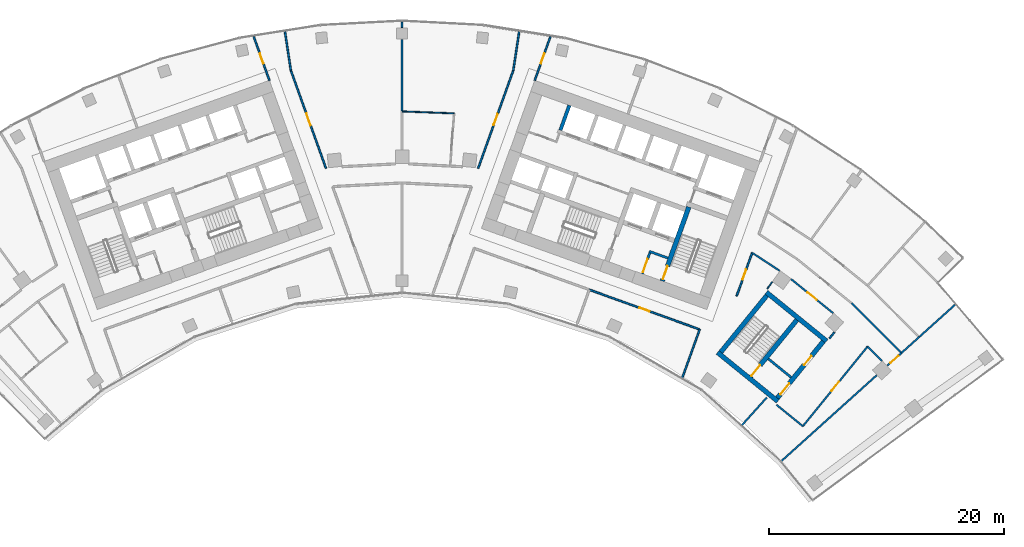
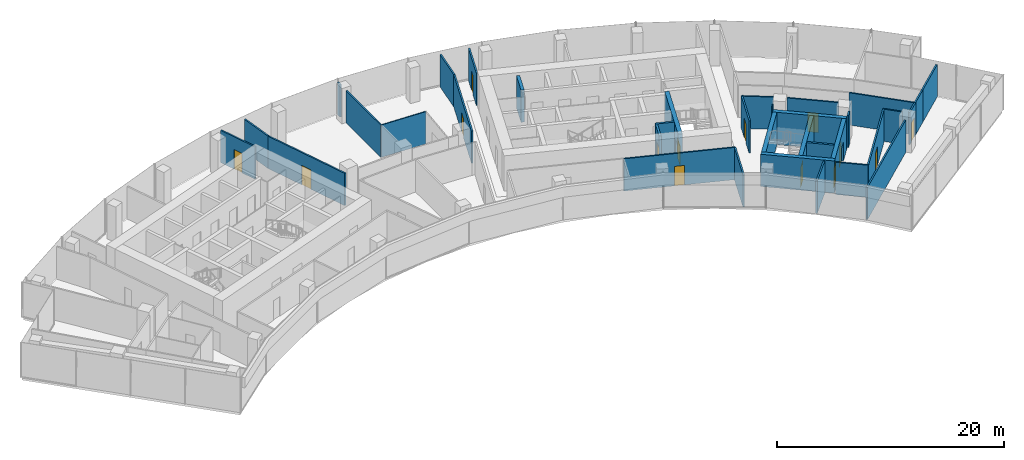
# One storey, part 15 of 18: 35 walls, 14 doors, 14 openings.
"""IFC4 building model written with IfcOpenShell, lengths in metres."""

from ifc_helpers import new_model, si_unit, direction, frame, frame_2d, origin, place, context, subcontext, project, spatial, rectangle, extrude, material, layer, layer_set, type_object, element, fill, save


model = new_model("IFC4")

# Units and contexts
model_context = context("Model", 3, precision=1e-05, world=origin(), true_north=direction((0.0, 1.0)))
body_context = subcontext(model_context, "Body", "Model", "MODEL_VIEW")
ifc_project = project(units=[si_unit("LENGTHUNIT", "METRE"), si_unit("AREAUNIT", "SQUARE_METRE"), si_unit("VOLUMEUNIT", "CUBIC_METRE"), si_unit("PLANEANGLEUNIT", "RADIAN"), si_unit("MASSUNIT", "GRAM", prefix="KILO")], contexts=[model_context])

# Site, building, storey
site_placement = place(None, origin())
site = spatial("IfcSite", under=ifc_project, at=site_placement, CompositionType="ELEMENT")
building_placement = place(site_placement, origin())
building = spatial("IfcBuilding", under=site, at=building_placement, Name="Stone Belt Terrace Tower", CompositionType="ELEMENT")
storey_placement = place(building_placement, frame((0.0, 0.0, 220.0)))
storey = spatial("IfcBuildingStorey", under=building, at=storey_placement, Name="L53", CompositionType="ELEMENT", Elevation=220.0)

# Walls
ifc_material_1 = material(Name="Concrete B80", Category="concrete")
ifc_layer_1 = layer(ifc_material_1, 0.300048828125)
ifc_layer_set_1 = layer_set([ifc_layer_1], Name="Lift shaft wall 300")
wall_type_1 = type_object("IfcWallType", Name="Lift shaft wall 300", PredefinedType="SHEAR", material=ifc_layer_set_1)
wall_1_placement = place(storey_placement, frame((13.48828125, 57.265625, 0.0), z_axis=(0.0, 0.0, 1.0), x_axis=(0.338631098537, 0.940919220286, 0.0)))
element("IfcWall", 1, at=wall_1_placement, inside=storey, type_object=wall_type_1, Name="Core B wall", PredefinedType="SHEAR", context=body_context, shape_type="SweptSolid", body=[
    extrude(rectangle(XDim=2.250244140625, YDim=0.300048828125, at=frame_2d((1.125, 0.0))), origin(), (0.0, 0.0, 1.0), 3.47998046875),
])
ifc_material_2 = material(Name="Gypsum board partition")
ifc_layer_2 = layer(ifc_material_2, 0.10009765625)
ifc_layer_set_2 = layer_set([ifc_layer_2], Name="PARTITION 100")
wall_type_2 = type_object("IfcWallType", Name="PARTITION 100", PredefinedType="PARTITIONING", material=ifc_layer_set_2)
wall_2_placement = place(storey_placement, frame((31.10302734375, 43.760009765625, 0.0), z_axis=(0.0, 0.0, 1.0), x_axis=(0.578960753256, 0.815355410965, 0.0)))
element("IfcWall", 2, at=wall_2_placement, inside=storey, type_object=wall_type_2, Name="L53/wall/i060", PredefinedType="PARTITIONING", context=body_context, shape_type="SweptSolid", body=[
    extrude(rectangle(XDim=0.71044921875, YDim=0.10009765625, at=frame_2d((0.355224609375, 0.0))), origin(), (0.0, 0.0, 1.0), 3.47998046875),
])
wall_3_placement = place(storey_placement, frame((4.431884765625, 58.697998046875, 0.0), z_axis=(0.0, 0.0, 1.0), x_axis=(-0.999290874264, 0.037653002699, 0.0)))
element("IfcWall", 3, at=wall_3_placement, inside=storey, type_object=wall_type_2, Name="L53/wall/i082", PredefinedType="PARTITIONING", context=body_context, shape_type="SweptSolid", body=[
    extrude(rectangle(XDim=4.43505859375, YDim=0.10009765625, at=frame_2d((2.217529296875, 0.0))), origin(), (0.0, 0.0, 1.0), 3.47998046875),
])

# Wall, opening, door
ifc_layer_3 = layer(ifc_material_2, 0.14990234375)
ifc_layer_set_3 = layer_set([ifc_layer_3], Name="PARTITION 150 EI 60")
wall_type_3 = type_object("IfcWallType", Name="PARTITION 150 EI 60", PredefinedType="PARTITIONING", material=ifc_layer_set_3)
wall_4_placement = place(storey_placement, frame((-11.2958984375, 61.509033203125, 0.0), z_axis=(0.0, 0.0, 1.0), x_axis=(-0.338610223579, 0.940926732795, 0.0)))
wall_4 = element("IfcWall", 4, at=wall_4_placement, inside=storey, type_object=wall_type_3, Name="L53/wall/i008", PredefinedType="PARTITIONING", context=body_context, shape_type="SweptSolid", body=[
    extrude(rectangle(XDim=3.956787109375, YDim=0.14990234375, at=frame_2d((1.978515625, 0.0))), origin(), (0.0, 0.0, 1.0), 3.47998046875),
])
opening_1_placement = place(wall_4_placement, frame((1.5283203125, 0.0, 0.0)))
opening_1 = element("IfcOpeningElement", 5, at=opening_1_placement, cuts=wall_4, Name="Opening D-D3-04", PredefinedType="OPENING", context=body_context, shape_type="SweptSolid", body=[
    extrude(rectangle(XDim=0.89990234375, YDim=2.10009765625, at=frame_2d((0.449951171875, 1.050048828125))), frame((0.0, 0.0849609375, 0.0), z_axis=(0.0, -1.0, 0.0), x_axis=(1.0, 0.0, 0.0)), (0.0, 0.0, 1.0), 0.169921875),
])
ifc_material_3 = material(Name="Timber door leaf", Category="wood")
door_type_1 = type_object("IfcDoorType", Name="OFFICE DOOR 900 X 2100", OperationType="NOTDEFINED", PredefinedType="DOOR", material=ifc_material_3)
door_1_placement = place(opening_1_placement, origin())
door_1 = element("IfcDoor", 6, at=door_1_placement, inside=storey, type_object=door_type_1, Name="L53/door/i04", OperationType="SINGLE_SWING_RIGHT", OverallHeight=2.10009765625, OverallWidth=0.89990234375, PredefinedType="DOOR", context=body_context, shape_type="SweptSolid", body=[
    extrude(rectangle(XDim=0.89990234375, YDim=2.10009765625, at=frame_2d((0.449951171875, 1.050048828125))), frame((0.0, 0.02490234375, 0.0), z_axis=(0.0, -1.0, 0.0), x_axis=(1.0, 0.0, 0.0)), (0.0, 0.0, 1.0), 0.050048828125),
])
fill(opening_1, door_1)

# Wall
wall_5_placement = place(storey_placement, frame((-9.971923828125, 65.65576171875, 0.0), z_axis=(0.0, 0.0, 1.0), x_axis=(0.150154488208, -0.988662545903, 0.0)))
element("IfcWall", 7, at=wall_5_placement, inside=storey, type_object=wall_type_3, Name="L53/wall/i010", PredefinedType="PARTITIONING", context=body_context, shape_type="SweptSolid", body=[
    extrude(rectangle(XDim=3.35595703125, YDim=0.14990234375, at=frame_2d((1.677978515625, 0.0))), origin(), (0.0, 0.0, 1.0), 3.47998046875),
])

# Wall, opening, door
wall_6_placement = place(storey_placement, frame((-9.468017578125, 62.3369140625, 0.0), z_axis=(0.0, 0.0, 1.0), x_axis=(0.338603075024, -0.940929305307, 0.0)))
wall_6 = element("IfcWall", 8, at=wall_6_placement, inside=storey, type_object=wall_type_3, Name="L53/wall/i011", PredefinedType="PARTITIONING", context=body_context, shape_type="SweptSolid", body=[
    extrude(rectangle(XDim=8.839111328125, YDim=0.14990234375, at=frame_2d((4.41943359375, 0.0))), origin(), (0.0, 0.0, 1.0), 3.47998046875),
])
opening_2_placement = place(wall_6_placement, frame((3.86962890625, 0.0, 0.0)))
opening_2 = element("IfcOpeningElement", 9, at=opening_2_placement, cuts=wall_6, Name="Opening D-D3-25", PredefinedType="OPENING", context=body_context, shape_type="SweptSolid", body=[
    extrude(rectangle(XDim=1.10009765625, YDim=2.10009765625, at=frame_2d((0.550048828125, 1.050048828125))), frame((0.0, 0.0849609375, 0.0), z_axis=(0.0, -1.0, 0.0), x_axis=(1.0, 0.0, 0.0)), (0.0, 0.0, 1.0), 0.169921875),
])
ifc_material_4 = material(Name="Steel fire door set", Category="steel")
door_type_2 = type_object("IfcDoorType", Name="SERVICE ROOM DOOR 1100 X 2100", OperationType="NOTDEFINED", PredefinedType="DOOR", material=ifc_material_4)
door_2_placement = place(opening_2_placement, origin())
door_2 = element("IfcDoor", 10, at=door_2_placement, inside=storey, type_object=door_type_2, Name="L53/door/i25", OperationType="SINGLE_SWING_LEFT", OverallHeight=2.10009765625, OverallWidth=1.10009765625, PredefinedType="DOOR", context=body_context, shape_type="SweptSolid", body=[
    extrude(rectangle(XDim=1.10009765625, YDim=2.10009765625, at=frame_2d((0.550048828125, 1.050048828125))), frame((0.0, 0.02490234375, 0.0), z_axis=(0.0, -1.0, 0.0), x_axis=(1.0, 0.0, 0.0)), (0.0, 0.0, 1.0), 0.050048828125),
])
fill(opening_2, door_2)

wall_7_placement = place(storey_placement, frame((12.6357421875, 65.232177734375, 0.0), z_axis=(0.0, 0.0, 1.0), x_axis=(-0.338610223579, -0.940926732795, 0.0)))
wall_7 = element("IfcWall", 11, at=wall_7_placement, inside=storey, type_object=wall_type_3, Name="L53/wall/i017", PredefinedType="PARTITIONING", context=body_context, shape_type="SweptSolid", body=[
    extrude(rectangle(XDim=3.956787109375, YDim=0.14990234375, at=frame_2d((1.978515625, 0.0))), origin(), (0.0, 0.0, 1.0), 3.47998046875),
])
opening_3_placement = place(wall_7_placement, frame((1.5283203125, 0.0, 0.0)))
opening_3 = element("IfcOpeningElement", 12, at=opening_3_placement, cuts=wall_7, Name="Opening D-D3-07", PredefinedType="OPENING", context=body_context, shape_type="SweptSolid", body=[
    extrude(rectangle(XDim=0.89990234375, YDim=2.10009765625, at=frame_2d((0.449951171875, 1.050048828125))), frame((0.0, 0.0849609375, 0.0), z_axis=(0.0, -1.0, 0.0), x_axis=(1.0, 0.0, 0.0)), (0.0, 0.0, 1.0), 0.169921875),
])
door_3_placement = place(opening_3_placement, origin())
door_3 = element("IfcDoor", 13, at=door_3_placement, inside=storey, type_object=door_type_1, Name="L53/door/i07", OperationType="SINGLE_SWING_RIGHT", OverallHeight=2.10009765625, OverallWidth=0.89990234375, PredefinedType="DOOR", context=body_context, shape_type="SweptSolid", body=[
    extrude(rectangle(XDim=0.89990234375, YDim=2.10009765625, at=frame_2d((0.449951171875, 1.050048828125))), frame((0.0, 0.02490234375, 0.0), z_axis=(0.0, -1.0, 0.0), x_axis=(1.0, 0.0, 0.0)), (0.0, 0.0, 1.0), 0.050048828125),
])
fill(opening_3, door_3)

wall_8_placement = place(storey_placement, frame((6.47509765625, 54.02001953125, 0.0), z_axis=(0.0, 0.0, 1.0), x_axis=(0.338603075024, 0.940929305307, 0.0)))
wall_8 = element("IfcWall", 14, at=wall_8_placement, inside=storey, type_object=wall_type_3, Name="L53/wall/i019", PredefinedType="PARTITIONING", context=body_context, shape_type="SweptSolid", body=[
    extrude(rectangle(XDim=8.839111328125, YDim=0.14990234375, at=frame_2d((4.41943359375, 0.0))), origin(), (0.0, 0.0, 1.0), 3.47998046875),
])
opening_4_placement = place(wall_8_placement, frame((3.919677734375, 0.0, 0.0)))
opening_4 = element("IfcOpeningElement", 15, at=opening_4_placement, cuts=wall_8, Name="Opening D-D3-26", PredefinedType="OPENING", context=body_context, shape_type="SweptSolid", body=[
    extrude(rectangle(XDim=1.0, YDim=2.10009765625, at=frame_2d((0.5, 1.050048828125))), frame((0.0, 0.0849609375, 0.0), z_axis=(0.0, -1.0, 0.0), x_axis=(1.0, 0.0, 0.0)), (0.0, 0.0, 1.0), 0.169921875),
])
ifc_material_5 = material(Name="Timber fire door leaf", Category="wood")
door_type_3 = type_object("IfcDoorType", Name="TENANCY ENTRANCE DOOR 1000 X 2100", OperationType="NOTDEFINED", PredefinedType="DOOR", material=ifc_material_5)
door_4_placement = place(opening_4_placement, origin())
door_4 = element("IfcDoor", 16, at=door_4_placement, inside=storey, type_object=door_type_3, Name="L53/door/i26", OperationType="SINGLE_SWING_RIGHT", OverallHeight=2.10009765625, OverallWidth=1.0, PredefinedType="DOOR", context=body_context, shape_type="SweptSolid", body=[
    extrude(rectangle(XDim=1.0, YDim=2.10009765625, at=frame_2d((0.5, 1.050048828125))), frame((0.0, 0.02490234375, 0.0), z_axis=(0.0, -1.0, 0.0), x_axis=(1.0, 0.0, 0.0)), (0.0, 0.0, 1.0), 0.050048828125),
])
fill(opening_4, door_4)

# Walls
wall_9_placement = place(storey_placement, frame((9.468017578125, 62.337890625, 0.0), z_axis=(0.0, 0.0, 1.0), x_axis=(0.150154488208, 0.988662545903, 0.0)))
element("IfcWall", 17, at=wall_9_placement, inside=storey, type_object=wall_type_3, Name="L53/wall/i020", PredefinedType="PARTITIONING", context=body_context, shape_type="SweptSolid", body=[
    extrude(rectangle(XDim=3.35595703125, YDim=0.14990234375, at=frame_2d((1.677978515625, 0.0))), origin(), (0.0, 0.0, 1.0), 3.47998046875),
])
wall_10_placement = place(storey_placement, frame((23.860107421875, 36.1787109375, 0.0), z_axis=(0.0, 0.0, 1.0), x_axis=(0.338603151709, 0.94092927771, 0.0)))
element("IfcWall", 18, at=wall_10_placement, inside=storey, type_object=wall_type_3, Name="L53/wall/i021", PredefinedType="PARTITIONING", context=body_context, shape_type="SweptSolid", body=[
    extrude(rectangle(XDim=4.38525390625, YDim=0.14990234375, at=frame_2d((2.192626953125, 0.0))), origin(), (0.0, 0.0, 1.0), 3.47998046875),
])

# Wall, opening, door
wall_11_placement = place(storey_placement, frame((29.819091796875, 46.826904296875, 0.0), z_axis=(0.0, 0.0, 1.0), x_axis=(-0.338668875698, -0.940905623659, 0.0)))
wall_11 = element("IfcWall", 19, at=wall_11_placement, inside=storey, type_object=wall_type_3, Name="L53/wall/i023", PredefinedType="PARTITIONING", context=body_context, shape_type="SweptSolid", body=[
    extrude(rectangle(XDim=3.93017578125, YDim=0.14990234375, at=frame_2d((1.965087890625, 0.0))), origin(), (0.0, 0.0, 1.0), 3.47998046875),
])
opening_5_placement = place(wall_11_placement, frame((1.51513671875, 0.0, 0.0)))
opening_5 = element("IfcOpeningElement", 20, at=opening_5_placement, cuts=wall_11, Name="Opening D-D3-17", PredefinedType="OPENING", context=body_context, shape_type="SweptSolid", body=[
    extrude(rectangle(XDim=0.89990234375, YDim=2.10009765625, at=frame_2d((0.449951171875, 1.050048828125))), frame((0.0, 0.0849609375, 0.0), z_axis=(0.0, -1.0, 0.0), x_axis=(1.0, 0.0, 0.0)), (0.0, 0.0, 1.0), 0.169921875),
])
door_5_placement = place(opening_5_placement, origin())
door_5 = element("IfcDoor", 21, at=door_5_placement, inside=storey, type_object=door_type_1, Name="L53/door/i17", OperationType="SINGLE_SWING_RIGHT", OverallHeight=2.10009765625, OverallWidth=0.89990234375, PredefinedType="DOOR", context=body_context, shape_type="SweptSolid", body=[
    extrude(rectangle(XDim=0.89990234375, YDim=2.10009765625, at=frame_2d((0.449951171875, 1.050048828125))), frame((0.0, 0.02490234375, 0.0), z_axis=(0.0, -1.0, 0.0), x_axis=(1.0, 0.0, 0.0)), (0.0, 0.0, 1.0), 0.050048828125),
])
fill(opening_5, door_5)

# Wall
wall_12_placement = place(storey_placement, frame((31.054931640625, 34.489990234375, 0.0), z_axis=(0.0, 0.0, 1.0), x_axis=(-0.669118910745, -0.743155356089, 0.0)))
element("IfcWall", 22, at=wall_12_placement, inside=storey, type_object=wall_type_3, Name="L53/wall/i024", PredefinedType="PARTITIONING", context=body_context, shape_type="SweptSolid", body=[
    extrude(rectangle(XDim=3.149169921875, YDim=0.14990234375, at=frame_2d((1.57470703125, 0.0))), origin(), (0.0, 0.0, 1.0), 3.47998046875),
])

# Wall, opening, door
wall_13_placement = place(storey_placement, frame((25.343017578125, 40.299072265625, 0.0), z_axis=(0.0, 0.0, 1.0), x_axis=(-0.940924167652, 0.338617351488, 0.0)))
wall_13 = element("IfcWall", 23, at=wall_13_placement, inside=storey, type_object=wall_type_3, Name="L53/wall/i028", PredefinedType="PARTITIONING", context=body_context, shape_type="SweptSolid", body=[
    extrude(rectangle(XDim=9.989990234375, YDim=0.14990234375, at=frame_2d((4.9951171875, 0.0))), origin(), (0.0, 0.0, 1.0), 3.47998046875),
])
opening_6_placement = place(wall_13_placement, frame((4.545166015625, 0.0, 0.0)))
opening_6 = element("IfcOpeningElement", 24, at=opening_6_placement, cuts=wall_13, Name="Opening D-D3-06", PredefinedType="OPENING", context=body_context, shape_type="SweptSolid", body=[
    extrude(rectangle(XDim=0.89990234375, YDim=2.10009765625, at=frame_2d((0.449951171875, 1.050048828125))), frame((0.0, 0.0849609375, 0.0), z_axis=(0.0, -1.0, 0.0), x_axis=(1.0, 0.0, 0.0)), (0.0, 0.0, 1.0), 0.169921875),
])
door_6_placement = place(opening_6_placement, origin())
door_6 = element("IfcDoor", 25, at=door_6_placement, inside=storey, type_object=door_type_1, Name="L53/door/i06", OperationType="SINGLE_SWING_RIGHT", OverallHeight=2.10009765625, OverallWidth=0.89990234375, PredefinedType="DOOR", context=body_context, shape_type="SweptSolid", body=[
    extrude(rectangle(XDim=0.89990234375, YDim=2.10009765625, at=frame_2d((0.449951171875, 1.050048828125))), frame((0.0, 0.02490234375, 0.0), z_axis=(0.0, -1.0, 0.0), x_axis=(1.0, 0.0, 0.0)), (0.0, 0.0, 1.0), 0.050048828125),
])
fill(opening_6, door_6)

wall_14_placement = place(storey_placement, frame((42.531005859375, 38.2939453125, 0.0), z_axis=(0.0, 0.0, 1.0), x_axis=(-0.743450987947, -0.668790421972, 0.0)))
wall_14 = element("IfcWall", 26, at=wall_14_placement, inside=storey, type_object=wall_type_3, Name="L53/wall/i047", PredefinedType="PARTITIONING", context=body_context, shape_type="SweptSolid", body=[
    extrude(rectangle(XDim=1.625244140625, YDim=0.14990234375, at=frame_2d((0.8125, 0.0))), origin(), (0.0, 0.0, 1.0), 3.47998046875),
])
opening_7_placement = place(wall_14_placement, frame((0.36279296875, 0.0, 0.0)))
opening_7 = element("IfcOpeningElement", 27, at=opening_7_placement, cuts=wall_14, Name="Opening D-D3-15", PredefinedType="OPENING", context=body_context, shape_type="SweptSolid", body=[
    extrude(rectangle(XDim=0.89990234375, YDim=2.10009765625, at=frame_2d((0.449951171875, 1.050048828125))), frame((0.0, 0.0849609375, 0.0), z_axis=(0.0, -1.0, 0.0), x_axis=(1.0, 0.0, 0.0)), (0.0, 0.0, 1.0), 0.169921875),
])
door_7_placement = place(opening_7_placement, origin())
door_7 = element("IfcDoor", 28, at=door_7_placement, inside=storey, type_object=door_type_1, Name="L53/door/i15", OperationType="SINGLE_SWING_RIGHT", OverallHeight=2.10009765625, OverallWidth=0.89990234375, PredefinedType="DOOR", context=body_context, shape_type="SweptSolid", body=[
    extrude(rectangle(XDim=0.89990234375, YDim=2.10009765625, at=frame_2d((0.449951171875, 1.050048828125))), frame((0.0, 0.02490234375, 0.0), z_axis=(0.0, -1.0, 0.0), x_axis=(1.0, 0.0, 0.0)), (0.0, 0.0, 1.0), 0.050048828125),
])
fill(opening_7, door_7)

# Walls
wall_15_placement = place(storey_placement, frame((32.32666015625, 29.107177734375, 0.0), z_axis=(0.0, 0.0, 1.0), x_axis=(0.743123646352, 0.669154127412, 0.0)))
element("IfcWall", 29, at=wall_15_placement, inside=storey, type_object=wall_type_3, Name="L53/wall/i048", PredefinedType="PARTITIONING", context=body_context, shape_type="SweptSolid", body=[
    extrude(rectangle(XDim=10.89501953125, YDim=0.14990234375, at=frame_2d((5.447509765625, 0.0))), origin(), (0.0, 0.0, 1.0), 3.47998046875),
])
wall_16_placement = place(storey_placement, frame((42.52197265625, 38.287109375, 0.0), z_axis=(0.0, 0.0, 1.0), x_axis=(0.74306127458, 0.669223387382, 0.0)))
element("IfcWall", 30, at=wall_16_placement, inside=storey, type_object=wall_type_3, Name="L53/wall/i049", PredefinedType="PARTITIONING", context=body_context, shape_type="SweptSolid", body=[
    extrude(rectangle(XDim=2.033447265625, YDim=0.14990234375, at=frame_2d((1.0166015625, 0.0))), origin(), (0.0, 0.0, 1.0), 3.47998046875),
])
wall_17_placement = place(storey_placement, frame((44.02490234375, 39.639892578125, 0.0), z_axis=(0.0, 0.0, 1.0), x_axis=(0.743144572165, 0.66913088769, 0.0)))
element("IfcWall", 31, at=wall_17_placement, inside=storey, type_object=wall_type_3, Name="L53/wall/i050", PredefinedType="PARTITIONING", context=body_context, shape_type="SweptSolid", body=[
    extrude(rectangle(XDim=4.1396484375, YDim=0.14990234375, at=frame_2d((2.06982421875, 0.0))), origin(), (0.0, 0.0, 1.0), 3.47998046875),
])

# Wall, opening, door
wall_18_placement = place(storey_placement, frame((36.716064453125, 41.681396484375, 0.0), z_axis=(0.0, 0.0, 1.0), x_axis=(-0.777157211672, 0.629306497937, 0.0)))
wall_18 = element("IfcWall", 32, at=wall_18_placement, inside=storey, type_object=wall_type_3, Name="L53/wall/i051", PredefinedType="PARTITIONING", context=body_context, shape_type="SweptSolid", body=[
    extrude(rectangle(XDim=4.60546875, YDim=0.14990234375, at=frame_2d((2.302734375, 0.0))), origin(), (0.0, 0.0, 1.0), 3.47998046875),
])
opening_8_placement = place(wall_18_placement, frame((1.802734375, 0.0, 0.0)))
opening_8 = element("IfcOpeningElement", 33, at=opening_8_placement, cuts=wall_18, Name="Opening D-D3-16", PredefinedType="OPENING", context=body_context, shape_type="SweptSolid", body=[
    extrude(rectangle(XDim=1.0, YDim=2.10009765625, at=frame_2d((0.5, 1.050048828125))), frame((0.0, 0.0849609375, 0.0), z_axis=(0.0, -1.0, 0.0), x_axis=(1.0, 0.0, 0.0)), (0.0, 0.0, 1.0), 0.169921875),
])
door_8_placement = place(opening_8_placement, origin())
door_8 = element("IfcDoor", 34, at=door_8_placement, inside=storey, type_object=door_type_3, Name="L53/door/i16", OperationType="SINGLE_SWING_RIGHT", OverallHeight=2.10009765625, OverallWidth=1.0, PredefinedType="DOOR", context=body_context, shape_type="SweptSolid", body=[
    extrude(rectangle(XDim=1.0, YDim=2.10009765625, at=frame_2d((0.5, 1.050048828125))), frame((0.0, 0.02490234375, 0.0), z_axis=(0.0, -1.0, 0.0), x_axis=(1.0, 0.0, 0.0)), (0.0, 0.0, 1.0), 0.050048828125),
])
fill(opening_8, door_8)

# Walls
wall_19_placement = place(storey_placement, frame((32.1591796875, 45.29248046875, 0.0), z_axis=(0.0, 0.0, 1.0), x_axis=(-0.837449064317, 0.546515383749, 0.0)))
element("IfcWall", 35, at=wall_19_placement, inside=storey, type_object=wall_type_3, Name="L53/wall/i052", PredefinedType="PARTITIONING", context=body_context, shape_type="SweptSolid", body=[
    extrude(rectangle(XDim=2.796875, YDim=0.14990234375, at=frame_2d((1.3984375, 0.0))), origin(), (0.0, 0.0, 1.0), 3.47998046875),
])
wall_20_placement = place(storey_placement, frame((40.871826171875, 37.615234375, 0.0), z_axis=(0.0, 0.0, 1.0), x_axis=(-0.707176795224, 0.707036760216, 0.0)))
element("IfcWall", 36, at=wall_20_placement, inside=storey, type_object=wall_type_3, Name="L53/wall/i053", PredefinedType="PARTITIONING", context=body_context, shape_type="SweptSolid", body=[
    extrude(rectangle(XDim=1.743408203125, YDim=0.14990234375, at=frame_2d((0.87158203125, 0.0))), origin(), (0.0, 0.0, 1.0), 3.47998046875),
])
wall_21_placement = place(storey_placement, frame((38.291015625, 42.52587890625, 0.0), z_axis=(0.0, 0.0, 1.0), x_axis=(0.707106781187, -0.707106781187, 0.0)))
element("IfcWall", 37, at=wall_21_placement, inside=storey, type_object=wall_type_3, Name="L53/wall/i056", PredefinedType="PARTITIONING", context=body_context, shape_type="SweptSolid", body=[
    extrude(rectangle(XDim=5.989013671875, YDim=0.14990234375, at=frame_2d((2.99462890625, 0.0))), origin(), (0.0, 0.0, 1.0), 3.47998046875),
])
wall_22_placement = place(storey_placement, frame((36.406005859375, 39.537109375, 0.0), z_axis=(0.0, 0.0, 1.0), x_axis=(0.630325485788, 0.776330974499, 0.0)))
element("IfcWall", 38, at=wall_22_placement, inside=storey, type_object=wall_type_3, Name="L53/wall/i057", PredefinedType="PARTITIONING", context=body_context, shape_type="SweptSolid", body=[
    extrude(rectangle(XDim=0.65380859375, YDim=0.14990234375, at=frame_2d((0.326904296875, 0.0))), origin(), (0.0, 0.0, 1.0), 3.47998046875),
])

# Wall, opening, door
wall_23_placement = place(storey_placement, frame((39.64306640625, 38.843994140625, 0.0), z_axis=(0.0, 0.0, 1.0), x_axis=(-0.630226712005, -0.776411161354, 0.0)))
wall_23 = element("IfcWall", 39, at=wall_23_placement, inside=storey, type_object=wall_type_3, Name="L53/wall/i058", PredefinedType="PARTITIONING", context=body_context, shape_type="SweptSolid", body=[
    extrude(rectangle(XDim=8.742919921875, YDim=0.14990234375, at=frame_2d((4.37158203125, 0.0))), origin(), (0.0, 0.0, 1.0), 3.47998046875),
])
opening_9_placement = place(wall_23_placement, frame((3.871337890625, 0.0, 0.0)))
opening_9 = element("IfcOpeningElement", 40, at=opening_9_placement, cuts=wall_23, Name="Opening D-D3-18", PredefinedType="OPENING", context=body_context, shape_type="SweptSolid", body=[
    extrude(rectangle(XDim=1.0, YDim=2.10009765625, at=frame_2d((0.5, 1.050048828125))), frame((0.0, 0.0849609375, 0.0), z_axis=(0.0, -1.0, 0.0), x_axis=(1.0, 0.0, 0.0)), (0.0, 0.0, 1.0), 0.169921875),
])
door_9_placement = place(opening_9_placement, origin())
door_9 = element("IfcDoor", 41, at=door_9_placement, inside=storey, type_object=door_type_3, Name="L53/door/i18", OperationType="SINGLE_SWING_RIGHT", OverallHeight=2.10009765625, OverallWidth=1.0, PredefinedType="DOOR", context=body_context, shape_type="SweptSolid", body=[
    extrude(rectangle(XDim=1.0, YDim=2.10009765625, at=frame_2d((0.5, 1.050048828125))), frame((0.0, 0.02490234375, 0.0), z_axis=(0.0, -1.0, 0.0), x_axis=(1.0, 0.0, 0.0)), (0.0, 0.0, 1.0), 0.050048828125),
])
fill(opening_9, door_9)

# Walls
wall_24_placement = place(storey_placement, frame((34.133056640625, 32.055908203125, 0.0), z_axis=(0.0, 0.0, 1.0), x_axis=(-0.776369956068, 0.630277471686, 0.0)))
element("IfcWall", 42, at=wall_24_placement, inside=storey, type_object=wall_type_3, Name="L53/wall/i059", PredefinedType="PARTITIONING", context=body_context, shape_type="SweptSolid", body=[
    extrude(rectangle(XDim=2.8876953125, YDim=0.14990234375, at=frame_2d((1.44384765625, 0.0))), origin(), (0.0, 0.0, 1.0), 3.47998046875),
])
wall_25_placement = place(storey_placement, frame((0.0, 66.5, 0.0), z_axis=(0.0, 0.0, 1.0), x_axis=(0.0, -1.0, 0.0)))
element("IfcWall", 43, at=wall_25_placement, inside=storey, type_object=wall_type_3, Name="L53/wall/i078", PredefinedType="PARTITIONING", context=body_context, shape_type="SweptSolid", body=[
    extrude(rectangle(XDim=0.506103515625, YDim=0.14990234375, at=frame_2d((0.2529296875, 0.0))), origin(), (0.0, 0.0, 1.0), 3.47998046875),
])
wall_26_placement = place(storey_placement, frame((0.0, 64.98388671875, 0.0), z_axis=(0.0, 0.0, 1.0), x_axis=(0.0, -1.0, 0.0)))
element("IfcWall", 44, at=wall_26_placement, inside=storey, type_object=wall_type_3, Name="L53/wall/i079", PredefinedType="PARTITIONING", context=body_context, shape_type="SweptSolid", body=[
    extrude(rectangle(XDim=6.125, YDim=0.14990234375, at=frame_2d((3.0625, 0.0))), origin(), (0.0, 0.0, 1.0), 3.47998046875),
])
ifc_material_6 = material(Name="Concrete masonry block", Category="masonry")
ifc_layer_4 = layer(ifc_material_6, 0.199951171875)
ifc_layer_set_4 = layer_set([ifc_layer_4], Name="Rated lobby wall 200")
wall_type_4 = type_object("IfcWallType", Name="Rated lobby wall 200", PredefinedType="PARTITIONING", material=ifc_layer_set_4)
wall_27_placement = place(storey_placement, frame((22.640625, 46.373046875, 0.0), z_axis=(0.0, 0.0, 1.0), x_axis=(-0.940966110313, 0.338500781747, 0.0)))
element("IfcWall", 45, at=wall_27_placement, inside=storey, type_object=wall_type_4, Name="Core B wall", PredefinedType="PARTITIONING", context=body_context, shape_type="SweptSolid", body=[
    extrude(rectangle(XDim=1.699951171875, YDim=0.199951171875, at=frame_2d((0.85009765625, 0.0))), origin(), (0.0, 0.0, 1.0), 3.47998046875),
])

# Wall, opening, door
wall_28_placement = place(storey_placement, frame((20.4580078125, 45.032958984375, 0.0), z_axis=(0.0, 0.0, 1.0), x_axis=(0.338573865316, 0.940939816208, 0.0)))
wall_28 = element("IfcWall", 46, at=wall_28_placement, inside=storey, type_object=wall_type_4, Name="Core B wall", PredefinedType="PARTITIONING", context=body_context, shape_type="SweptSolid", body=[
    extrude(rectangle(XDim=1.900146484375, YDim=0.199951171875, at=frame_2d((0.9501953125, 0.0))), origin(), (0.0, 0.0, 1.0), 3.47998046875),
])
opening_10_placement = place(wall_28_placement, frame((0.14990234375, 0.0, 0.0)))
opening_10 = element("IfcOpeningElement", 47, at=opening_10_placement, cuts=wall_28, Name="Opening L53-C17", PredefinedType="OPENING", context=body_context, shape_type="SweptSolid", body=[
    extrude(rectangle(XDim=1.199951171875, YDim=2.10009765625, at=frame_2d((0.60009765625, 1.050048828125))), frame((0.0, 0.10986328125, 0.0), z_axis=(0.0, -1.0, 0.0), x_axis=(1.0, 0.0, 0.0)), (0.0, 0.0, 1.0), 0.219970703125),
])
ifc_material_7 = material(Name="Steel door leaf", Category="steel")
door_type_4 = type_object("IfcDoorType", Name="Stair door 1200", OperationType="SINGLE_SWING_LEFT", PredefinedType="DOOR", material=ifc_material_7)
door_10_placement = place(opening_10_placement, origin())
door_10 = element("IfcDoor", 48, at=door_10_placement, inside=storey, type_object=door_type_4, Name="Stair airlock door core B", OperationType="SINGLE_SWING_RIGHT", OverallHeight=2.10009765625, OverallWidth=1.199951171875, PredefinedType="DOOR", context=body_context, shape_type="SweptSolid", body=[
    extrude(rectangle(XDim=1.199951171875, YDim=2.10009765625, at=frame_2d((0.60009765625, 1.050048828125))), frame((0.0, 0.02490234375, 0.0), z_axis=(0.0, -1.0, 0.0), x_axis=(1.0, 0.0, 0.0)), (0.0, 0.0, 1.0), 0.050048828125),
])
fill(opening_10, door_10)

# Wall
wall_29_placement = place(storey_placement, frame((31.190673828125, 37.79296875, 0.0), z_axis=(0.0, 0.0, 1.0), x_axis=(0.776370830301, -0.630276394813, 0.0)))
element("IfcWall", 49, at=wall_29_placement, inside=storey, type_object=wall_type_4, Name="Exit stair ST3B wall", PredefinedType="PARTITIONING", context=body_context, shape_type="SweptSolid", body=[
    extrude(rectangle(XDim=2.5, YDim=0.199951171875, at=frame_2d((1.25, 0.0))), origin(), (0.0, 0.0, 1.0), 3.47998046875),
])

# Wall, opening, door
ifc_layer_5 = layer(ifc_material_1, 0.39990234375)
ifc_layer_set_5 = layer_set([ifc_layer_5], Name="Stair enclosure wall 400")
wall_type_5 = type_object("IfcWallType", Name="Stair enclosure wall 400", PredefinedType="SHEAR", material=ifc_layer_set_5)
wall_30_placement = place(storey_placement, frame((22.151611328125, 44.42333984375, 0.0), z_axis=(0.0, 0.0, 1.0), x_axis=(0.338625272931, 0.940921316866, 0.0)))
wall_30 = element("IfcWall", 50, at=wall_30_placement, inside=storey, type_object=wall_type_5, Name="Core B wall", PredefinedType="SHEAR", context=body_context, shape_type="SweptSolid", body=[
    extrude(rectangle(XDim=6.699951171875, YDim=0.39990234375, at=frame_2d((3.35009765625, 0.0))), origin(), (0.0, 0.0, 1.0), 3.47998046875),
])
opening_11_placement = place(wall_30_placement, frame((0.14990234375, 0.0, 0.0)))
opening_11 = element("IfcOpeningElement", 51, at=opening_11_placement, cuts=wall_30, Name="Opening L53-C16", PredefinedType="OPENING", context=body_context, shape_type="SweptSolid", body=[
    extrude(rectangle(XDim=1.199951171875, YDim=2.10009765625, at=frame_2d((0.60009765625, 1.050048828125))), frame((0.0, 0.2099609375, 0.0), z_axis=(0.0, -1.0, 0.0), x_axis=(1.0, 0.0, 0.0)), (0.0, 0.0, 1.0), 0.419921875),
])
door_11_placement = place(opening_11_placement, origin())
door_11 = element("IfcDoor", 52, at=door_11_placement, inside=storey, type_object=door_type_4, Name="Stair 1 door core B", OperationType="SINGLE_SWING_RIGHT", OverallHeight=2.10009765625, OverallWidth=1.199951171875, PredefinedType="DOOR", context=body_context, shape_type="SweptSolid", body=[
    extrude(rectangle(XDim=1.199951171875, YDim=2.10009765625, at=frame_2d((0.60009765625, 1.050048828125))), frame((0.0, 0.02490234375, 0.0), z_axis=(0.0, -1.0, 0.0), x_axis=(1.0, 0.0, 0.0)), (0.0, 0.0, 1.0), 0.050048828125),
])
fill(opening_11, door_11)

# Walls
wall_31_placement = place(storey_placement, frame((26.868408203125, 38.3388671875, 0.0), z_axis=(0.0, 0.0, 1.0), x_axis=(0.776428452498, -0.630205409491, 0.0)))
element("IfcWall", 53, at=wall_31_placement, inside=storey, type_object=wall_type_5, Name="Exit stair ST3B wall", PredefinedType="SHEAR", context=body_context, shape_type="SweptSolid", body=[
    extrude(rectangle(XDim=6.60009765625, YDim=0.39990234375, at=frame_2d((3.300048828125, 0.0))), origin(), (0.0, 0.0, 1.0), 3.47998046875),
])
wall_32_placement = place(storey_placement, frame((31.02783203125, 43.46337890625, 0.0), z_axis=(0.0, 0.0, 1.0), x_axis=(0.776413760801, -0.630223509589, 0.0)))
element("IfcWall", 54, at=wall_32_placement, inside=storey, type_object=wall_type_5, Name="Exit stair ST3B wall", PredefinedType="SHEAR", context=body_context, shape_type="SweptSolid", body=[
    extrude(rectangle(XDim=6.599853515625, YDim=0.39990234375, at=frame_2d((3.2998046875, 0.0))), origin(), (0.0, 0.0, 1.0), 3.47998046875),
])
wall_33_placement = place(storey_placement, frame((27.149658203125, 38.3681640625, 0.0), z_axis=(0.0, 0.0, 1.0), x_axis=(0.630211551729, 0.776423466973, 0.0)))
element("IfcWall", 55, at=wall_33_placement, inside=storey, type_object=wall_type_5, Name="Exit stair ST3B wall", PredefinedType="SHEAR", context=body_context, shape_type="SweptSolid", body=[
    extrude(rectangle(XDim=6.199951171875, YDim=0.39990234375, at=frame_2d((3.10009765625, 0.0))), origin(), (0.0, 0.0, 1.0), 3.47998046875),
])

# Wall, openings, doors
wall_34_placement = place(storey_placement, frame((31.963623046875, 34.460693359375, 0.0), z_axis=(0.0, 0.0, 1.0), x_axis=(0.630192283849, 0.776439106033, 0.0)))
wall_34 = element("IfcWall", 56, at=wall_34_placement, inside=storey, type_object=wall_type_5, Name="Exit stair ST3B wall", PredefinedType="SHEAR", context=body_context, shape_type="SweptSolid", body=[
    extrude(rectangle(XDim=6.199951171875, YDim=0.39990234375, at=frame_2d((3.10009765625, 0.0))), origin(), (0.0, 0.0, 1.0), 3.47998046875),
])
opening_12_placement = place(wall_34_placement, frame((0.39990234375, 0.0, 0.0)))
opening_12 = element("IfcOpeningElement", 57, at=opening_12_placement, cuts=wall_34, Name="Opening L53-C24", PredefinedType="OPENING", context=body_context, shape_type="SweptSolid", body=[
    extrude(rectangle(XDim=1.199951171875, YDim=2.10009765625, at=frame_2d((0.60009765625, 1.050048828125))), frame((0.0, 0.2099609375, 0.0), z_axis=(0.0, -1.0, 0.0), x_axis=(1.0, 0.0, 0.0)), (0.0, 0.0, 1.0), 0.419921875),
])
opening_13_placement = place(wall_34_placement, frame((3.60009765625, 0.0, 0.0)))
opening_13 = element("IfcOpeningElement", 58, at=opening_13_placement, cuts=wall_34, Name="Opening L53-C25", PredefinedType="OPENING", context=body_context, shape_type="SweptSolid", body=[
    extrude(rectangle(XDim=1.0, YDim=2.10009765625, at=frame_2d((0.5, 1.050048828125))), frame((0.0, 0.2099609375, 0.0), z_axis=(0.0, -1.0, 0.0), x_axis=(1.0, 0.0, 0.0)), (0.0, 0.0, 1.0), 0.419921875),
])
door_type_5 = type_object("IfcDoorType", Name="Core room door 1000", OperationType="SINGLE_SWING_LEFT", PredefinedType="DOOR", material=ifc_material_3)
door_12_placement = place(opening_13_placement, origin())
door_12 = element("IfcDoor", 59, at=door_12_placement, inside=storey, type_object=door_type_5, Name="Door to stair pressurisation plant room ST3B", OperationType="SINGLE_SWING_LEFT", OverallHeight=2.10009765625, OverallWidth=1.0, PredefinedType="DOOR", context=body_context, shape_type="SweptSolid", body=[
    extrude(rectangle(XDim=1.0, YDim=2.10009765625, at=frame_2d((0.5, 1.050048828125))), frame((0.0, 0.02490234375, 0.0), z_axis=(0.0, -1.0, 0.0), x_axis=(1.0, 0.0, 0.0)), (0.0, 0.0, 1.0), 0.050048828125),
])
fill(opening_13, door_12)
door_type_6 = type_object("IfcDoorType", Name="Stair airlock door 1200", OperationType="SINGLE_SWING_LEFT", PredefinedType="DOOR", material=ifc_material_7)
door_13_placement = place(opening_12_placement, origin())
door_13 = element("IfcDoor", 60, at=door_13_placement, inside=storey, type_object=door_type_6, Name="Stair airlock door ST3B", OperationType="SINGLE_SWING_LEFT", OverallHeight=2.10009765625, OverallWidth=1.199951171875, PredefinedType="DOOR", context=body_context, shape_type="SweptSolid", body=[
    extrude(rectangle(XDim=1.199951171875, YDim=2.10009765625, at=frame_2d((0.60009765625, 1.050048828125))), frame((0.0, 0.02490234375, 0.0), z_axis=(0.0, -1.0, 0.0), x_axis=(1.0, 0.0, 0.0)), (0.0, 0.0, 1.0), 0.050048828125),
])
fill(opening_12, door_13)

# Wall, opening, door
wall_35_placement = place(storey_placement, frame((29.7119140625, 36.288330078125, 0.0), z_axis=(0.0, 0.0, 1.0), x_axis=(0.630192283849, 0.776439106033, 0.0)))
wall_35 = element("IfcWall", 61, at=wall_35_placement, inside=storey, type_object=wall_type_5, Name="Exit stair ST3B wall", PredefinedType="SHEAR", context=body_context, shape_type="SweptSolid", body=[
    extrude(rectangle(XDim=6.199951171875, YDim=0.39990234375, at=frame_2d((3.10009765625, 0.0))), origin(), (0.0, 0.0, 1.0), 3.47998046875),
])
opening_14_placement = place(wall_35_placement, frame((0.050048828125, 0.0, 0.0)))
opening_14 = element("IfcOpeningElement", 62, at=opening_14_placement, cuts=wall_35, Name="Opening L53-C23", PredefinedType="OPENING", context=body_context, shape_type="SweptSolid", body=[
    extrude(rectangle(XDim=1.199951171875, YDim=2.10009765625, at=frame_2d((0.60009765625, 1.050048828125))), frame((0.0, 0.2099609375, 0.0), z_axis=(0.0, -1.0, 0.0), x_axis=(1.0, 0.0, 0.0)), (0.0, 0.0, 1.0), 0.419921875),
])
door_14_placement = place(opening_14_placement, origin())
door_14 = element("IfcDoor", 63, at=door_14_placement, inside=storey, type_object=door_type_4, Name="Stair door ST3B", OperationType="SINGLE_SWING_RIGHT", OverallHeight=2.10009765625, OverallWidth=1.199951171875, PredefinedType="DOOR", context=body_context, shape_type="SweptSolid", body=[
    extrude(rectangle(XDim=1.199951171875, YDim=2.10009765625, at=frame_2d((0.60009765625, 1.050048828125))), frame((0.0, 0.02490234375, 0.0), z_axis=(0.0, -1.0, 0.0), x_axis=(1.0, 0.0, 0.0)), (0.0, 0.0, 1.0), 0.050048828125),
])
fill(opening_14, door_14)

save(model, "model.ifc")
